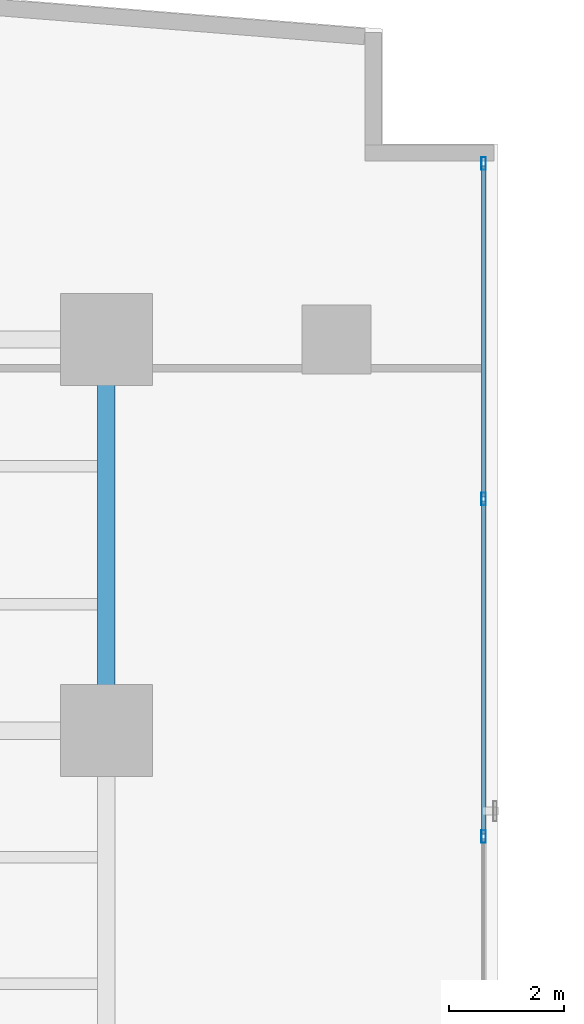
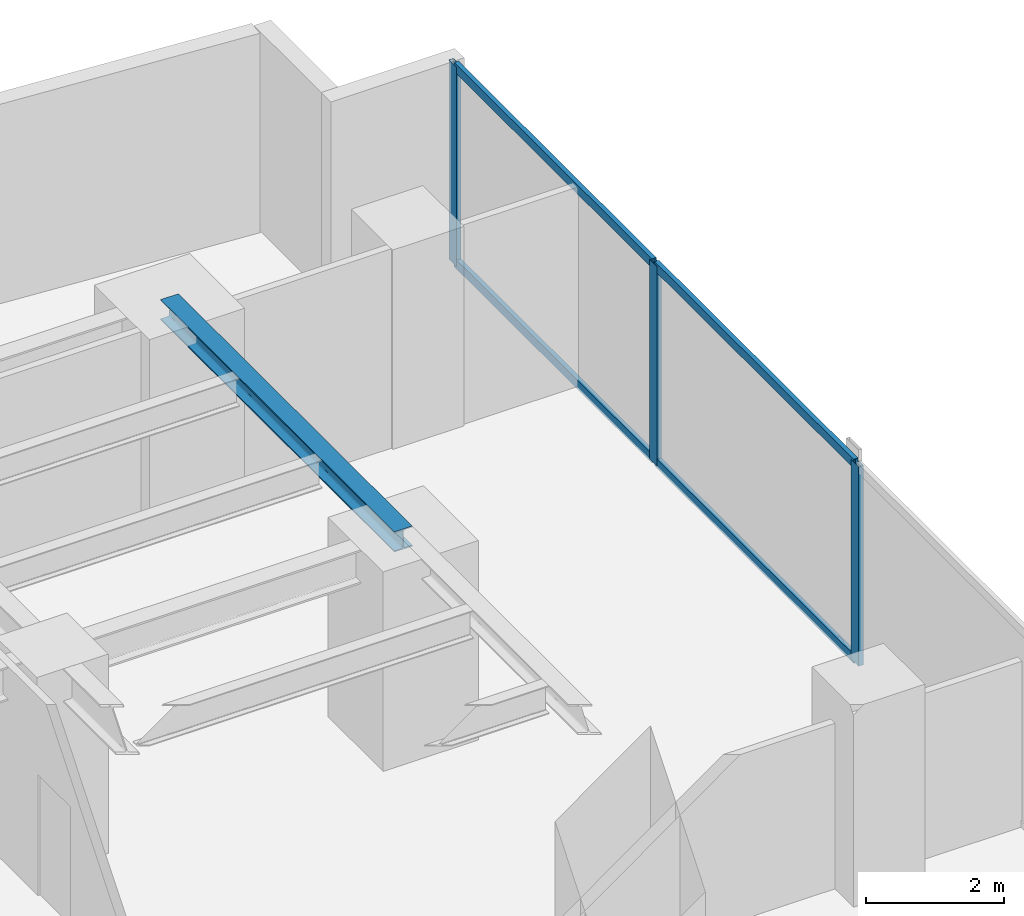
# One storey, part 19 of 28: 7 members, 1 beam, 1 element without a shape of its own.
"""IFC4 building model written with IfcOpenShell, lengths in metres."""

from ifc_helpers import new_model, si_unit, direction, frame, origin, origin_with_axes, origin_2d, place, context, subcontext, project, spatial, hollow_rectangle, i_section, extrude, source, transform, mapped, material, layer, layer_set, material_profile, profile_set, type_object, element, aggregate, save


model = new_model("IFC4")

# Units and contexts
model_context = context("Model", 3, precision=1e-05, world=origin(), true_north=direction((0.0, 1.0)))
body_context = subcontext(model_context, "Body", "Model", "MODEL_VIEW")
ifc_project = project(units=[si_unit("LENGTHUNIT", "METRE"), si_unit("AREAUNIT", "SQUARE_METRE"), si_unit("VOLUMEUNIT", "CUBIC_METRE"), si_unit("PLANEANGLEUNIT", "RADIAN"), si_unit("MASSUNIT", "GRAM", prefix="KILO")], contexts=[model_context])

# Site, building, storey
site_placement = place(None, origin())
site = spatial("IfcSite", under=ifc_project, at=site_placement, CompositionType="ELEMENT")
building_placement = place(site_placement, origin())
building = spatial("IfcBuilding", under=site, at=building_placement, Name="Kolvaren Waterfront Exchange", CompositionType="ELEMENT")
storey_placement = place(building_placement, frame((0.0, 0.0, 75.199951171875)))
storey = spatial("IfcBuildingStorey", under=building, at=storey_placement, Name="L19", CompositionType="ELEMENT", Elevation=75.199951171875)

# Beam
ifc_material_1 = material(Name="Steel S355", Category="steel")
ifc_material_profile_1 = material_profile(ifc_material_1, i_section(OverallWidth=0.300048828125, OverallDepth=0.360107421875, WebThickness=0.012451171875, FlangeThickness=0.0224609375, FilletRadius=0.027099609375, at=origin_2d()), Name="HEB360")
ifc_profile_set_1 = profile_set([ifc_material_profile_1], Name="Steel S355")
beam_type = type_object("IfcBeamType", Name="STR-BM-HEB360", PredefinedType="SPANDREL", material=ifc_profile_set_1)
beam_placement = place(storey_placement, frame((18.800048828125, 37.800048828125, 3.360107421875), z_axis=(0.0, 1.0, 0.0), x_axis=(-1.0, 0.0, 0.0)))
element("IfcBeam", 1, at=beam_placement, inside=storey, type_object=beam_type, Name="L19 north-arm edge beam 3", PredefinedType="SPANDREL", context=body_context, shape_type="SweptSolid", body=[
    extrude(i_section(OverallWidth=0.300048828125, OverallDepth=0.360107421875, WebThickness=0.012451171875, FlangeThickness=0.0224609375, FilletRadius=0.027099609375, at=origin_2d()), origin(), (0.0, 0.0, 1.0), 6.800048828125),
])

# Curtain wall, members
ifc_material_2 = material(Name="Anodised bronze aluminium 6063-T6", Category="aluminium")
ifc_layer = layer(ifc_material_2, 0.219970703125, Name="Anodised bronze aluminium 6063-T6")
ifc_layer_set = layer_set([ifc_layer], Name="Anodised bronze aluminium 6063-T6")
curtain_wall_type = type_object("IfcCurtainWallType", Name="ARC-CW-SYS1", PredefinedType="USERDEFINED", material=ifc_layer_set)
curtain_wall_placement = place(storey_placement, origin())
curtain_wall = element("IfcCurtainWall", 2, at=curtain_wall_placement, inside=storey, type_object=curtain_wall_type, Name="L19 stick curtain wall CW1 (CW-L19-NE)", ObjectType="STICK CURTAIN WALL", PredefinedType="USERDEFINED")
ifc_material_3 = material(Name="Anodised aluminium 6063-T6", Category="aluminium")
ifc_material_profile_2 = material_profile(ifc_material_3, hollow_rectangle(XDim=0.074951171875, YDim=0.159912109375, WallThickness=0.00439453125, at=origin_2d()), Name="ALU-TRN-160x75x4.5")
ifc_profile_set_2 = profile_set([ifc_material_profile_2], Name="Anodised aluminium 6063-T6")
member_type_1 = type_object("IfcMemberType", Name="ARC-CWT-160", PredefinedType="USERDEFINED", material=ifc_profile_set_2)
shared_shape_1 = source(origin_with_axes(), body_context, "Body", "SweptSolid", [
    extrude(hollow_rectangle(XDim=0.074951171875, YDim=0.159912109375, WallThickness=0.00439453125, at=origin_2d()), origin(), (0.0, 0.0, 1.0), 5.75),
])
member_1_placement = place(storey_placement, frame((25.360107421875, 41.8701171875, 0.03759765625), z_axis=(0.0, 1.0, 0.0), x_axis=(-1.0, 0.0, 0.0)))
member_1 = element("IfcMember", 3, at=member_1_placement, type_object=member_type_1, Name="CW1 transom 3.1", ObjectType="TRANSOM", PredefinedType="USERDEFINED", context=body_context, shape_type="MappedRepresentation", body=[
    mapped(shared_shape_1, transform((0.0, 0.0, 0.0), x_axis=(1.0, 0.0, 0.0), y_axis=(0.0, 1.0, 0.0), z_axis=(0.0, 0.0, 1.0), scale=1.0)),
])
member_2_placement = place(storey_placement, frame((25.360107421875, 41.8701171875, 3.50244140625), z_axis=(0.0, 1.0, 0.0), x_axis=(-1.0, 0.0, 0.0)))
member_2 = element("IfcMember", 4, at=member_2_placement, type_object=member_type_1, Name="CW1 transom 3.2", ObjectType="TRANSOM", PredefinedType="USERDEFINED", context=body_context, shape_type="MappedRepresentation", body=[
    mapped(shared_shape_1, transform((0.0, 0.0, 0.0), x_axis=(1.0, 0.0, 0.0), y_axis=(0.0, 1.0, 0.0), z_axis=(0.0, 0.0, 1.0), scale=1.0)),
])
shared_shape_2 = source(origin_with_axes(), body_context, "Body", "SweptSolid", [
    extrude(hollow_rectangle(XDim=0.074951171875, YDim=0.159912109375, WallThickness=0.00439453125, at=origin_2d()), origin(), (0.0, 0.0, 1.0), 5.7900390625),
])
member_3_placement = place(storey_placement, frame((25.360107421875, 36.0, 0.03759765625), z_axis=(0.0, 1.0, 0.0), x_axis=(-1.0, 0.0, 0.0)))
member_3 = element("IfcMember", 5, at=member_3_placement, type_object=member_type_1, Name="CW1 transom 2.1", ObjectType="TRANSOM", PredefinedType="USERDEFINED", context=body_context, shape_type="MappedRepresentation", body=[
    mapped(shared_shape_2, transform((0.0, 0.0, 0.0), x_axis=(1.0, 0.0, 0.0), y_axis=(0.0, 1.0, 0.0), z_axis=(0.0, 0.0, 1.0), scale=1.0)),
])
member_4_placement = place(storey_placement, frame((25.360107421875, 36.0, 3.50244140625), z_axis=(0.0, 1.0, 0.0), x_axis=(-1.0, 0.0, 0.0)))
member_4 = element("IfcMember", 6, at=member_4_placement, type_object=member_type_1, Name="CW1 transom 2.2", ObjectType="TRANSOM", PredefinedType="USERDEFINED", context=body_context, shape_type="MappedRepresentation", body=[
    mapped(shared_shape_2, transform((0.0, 0.0, 0.0), x_axis=(1.0, 0.0, 0.0), y_axis=(0.0, 1.0, 0.0), z_axis=(0.0, 0.0, 1.0), scale=1.0)),
])
ifc_material_profile_3 = material_profile(ifc_material_3, hollow_rectangle(XDim=0.080078125, YDim=0.219970703125, WallThickness=0.0048828125, at=origin_2d()), Name="ALU-MUL-220x80x5")
ifc_profile_set_3 = profile_set([ifc_material_profile_3], Name="Anodised aluminium 6063-T6")
member_type_2 = type_object("IfcMemberType", Name="ARC-CWM-220", PredefinedType="MULLION", material=ifc_profile_set_3)
shared_shape_3 = source(origin_with_axes(), body_context, "Body", "SweptSolid", [
    extrude(hollow_rectangle(XDim=0.080078125, YDim=0.219970703125, WallThickness=0.0048828125, at=origin_2d()), origin(), (0.0, 0.0, 1.0), 3.5400390625),
])
member_5_placement = place(storey_placement, frame((25.360107421875, 35.9599609375, 0.0), z_axis=(0.0, 0.0, 1.0), x_axis=(-1.0, 0.0, 0.0)))
member_5 = element("IfcMember", 7, at=member_5_placement, type_object=member_type_2, Name="CW1 mullion 2", PredefinedType="MULLION", context=body_context, shape_type="MappedRepresentation", body=[
    mapped(shared_shape_3, transform((0.0, 0.0, 0.0), x_axis=(1.0, 0.0, 0.0), y_axis=(0.0, 1.0, 0.0), z_axis=(0.0, 0.0, 1.0), scale=1.0)),
])
member_6_placement = place(storey_placement, frame((25.360107421875, 41.830078125, 0.0), z_axis=(0.0, 0.0, 1.0), x_axis=(-1.0, 0.0, 0.0)))
member_6 = element("IfcMember", 8, at=member_6_placement, type_object=member_type_2, Name="CW1 mullion 3", PredefinedType="MULLION", context=body_context, shape_type="MappedRepresentation", body=[
    mapped(shared_shape_3, transform((0.0, 0.0, 0.0), x_axis=(1.0, 0.0, 0.0), y_axis=(0.0, 1.0, 0.0), z_axis=(0.0, 0.0, 1.0), scale=1.0)),
])
member_7_placement = place(storey_placement, frame((25.360107421875, 47.659912109375, 0.0), z_axis=(0.0, 0.0, 1.0), x_axis=(-1.0, 0.0, 0.0)))
member_7 = element("IfcMember", 9, at=member_7_placement, type_object=member_type_2, Name="CW1 mullion 4", PredefinedType="MULLION", context=body_context, shape_type="MappedRepresentation", body=[
    mapped(shared_shape_3, transform((0.0, 0.0, 0.0), x_axis=(1.0, 0.0, 0.0), y_axis=(0.0, 1.0, 0.0), z_axis=(0.0, 0.0, 1.0), scale=1.0)),
])
aggregate(curtain_wall, [member_5, member_6, member_7, member_3, member_4, member_1, member_2])

save(model, "model.ifc")
